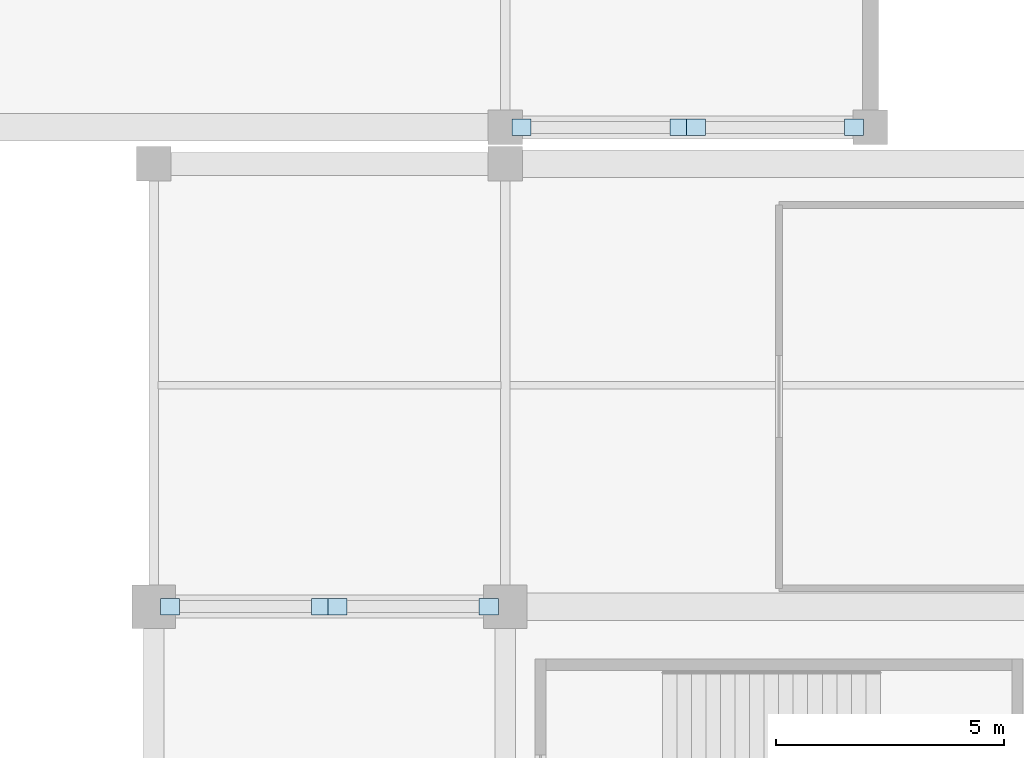
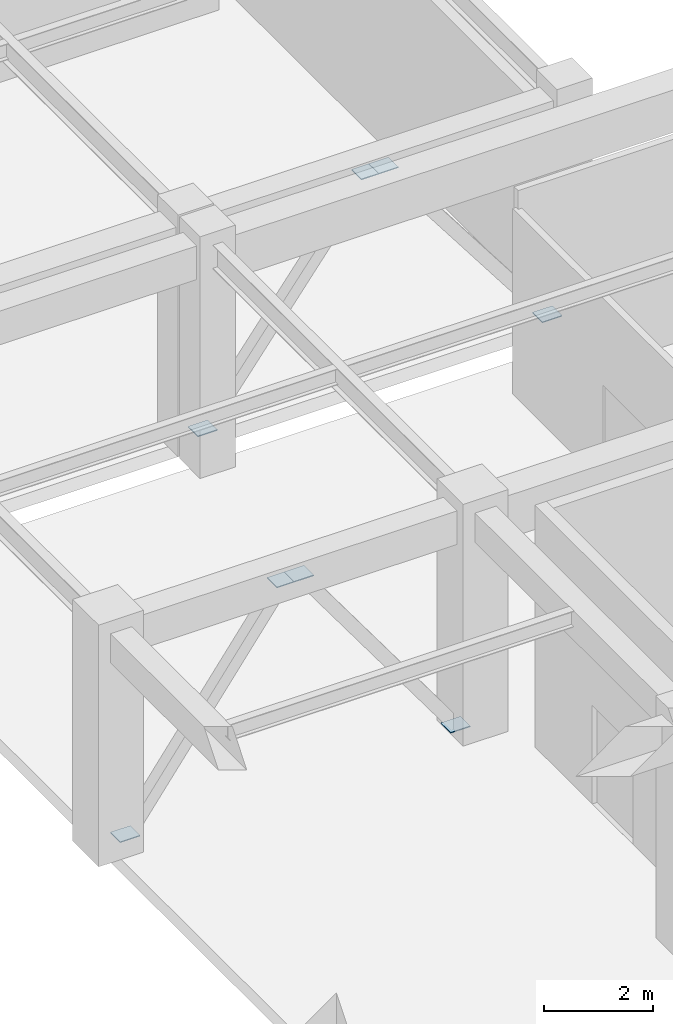
# One storey, part 72 of 120: 8 plates.
"""IFC4 building model written with IfcOpenShell, lengths in metres."""

from ifc_helpers import new_model, si_unit, direction, frame, origin, origin_2d, place, context, subcontext, project, spatial, rectangle, extrude, material, layer, layer_set, type_object, element, save


model = new_model("IFC4")

# Units and contexts
model_context = context("Model", 3, precision=1e-05, world=origin(), true_north=direction((0.0, 1.0)))
body_context = subcontext(model_context, "Body", "Model", "MODEL_VIEW")
ifc_project = project(units=[si_unit("LENGTHUNIT", "METRE"), si_unit("AREAUNIT", "SQUARE_METRE"), si_unit("VOLUMEUNIT", "CUBIC_METRE"), si_unit("PLANEANGLEUNIT", "RADIAN"), si_unit("MASSUNIT", "GRAM", prefix="KILO")], contexts=[model_context])

# Site, building, storey
site_placement = place(None, origin())
site = spatial("IfcSite", under=ifc_project, at=site_placement, CompositionType="ELEMENT")
building_placement = place(site_placement, origin())
building = spatial("IfcBuilding", under=site, at=building_placement, Name="Cuetzalor Civic Arena", CompositionType="ELEMENT")
storey_placement = place(building_placement, frame((0.0, 0.0, 6.0)))
storey = spatial("IfcBuildingStorey", under=building, at=storey_placement, Name="L01", CompositionType="ELEMENT", Elevation=6.0)

# Plates
ifc_material = material(Name="Steel S355", Category="steel")
ifc_layer = layer(ifc_material, 0.02001953125)
ifc_layer_set = layer_set([ifc_layer], Name="Steel S355")
plate_type = type_object("IfcPlateType", Name="TubeEndCapPlate_CP01", PredefinedType="SHEET", material=ifc_layer_set)
for number, where, z_axis, x_axis, name in (
    (1, (64.360107421875, 35.5, 0.139892578125), (0.0, 0.0, 1.0), (1.0, 0.0, 0.0), "Brace End Cap Plate 009-1"),
    (2, (67.820068359375, 35.5, 4.669921875), (0.0, 0.0, 1.0), (1.0, 0.0, 0.0), "Brace End Cap Plate 009-2"),
    (3, (71.639892578125, 35.5, 0.139892578125), (0.0, 0.0, 1.0), (1.0, 0.0, 0.0), "Brace End Cap Plate 010-1"),
    (4, (68.179931640625, 35.5, 4.669921875), (0.0, 0.0, 1.0), (1.0, 0.0, 0.0), "Brace End Cap Plate 010-2"),
    (5, (56.659912109375, 25.0, 0.139892578125), (0.0, 0.0, 1.0), (1.0, 0.0, 0.0), "Brace End Cap Plate 025-1"),
    (6, (59.969970703125, 25.0, 4.669921875), (0.0, 0.0, 1.0), (1.0, 0.0, 0.0), "Brace End Cap Plate 025-2"),
    (7, (63.639892578125, 25.0, 0.139892578125), (0.0, 0.0, 1.0), (1.0, 0.0, 0.0), "Brace End Cap Plate 026-1"),
    (8, (60.330078125, 25.0, 4.669921875), (0.0, 0.0, 1.0), (1.0, 0.0, 0.0), "Brace End Cap Plate 026-2"),
):
    element("IfcPlate", number, at=place(storey_placement, frame(where, z_axis=z_axis, x_axis=x_axis)), inside=storey, type_object=plate_type, Name=name, PredefinedType="SHEET", context=body_context, shape_type="SweptSolid", body=[
        extrude(rectangle(XDim=0.419921875, YDim=0.360107421875, at=origin_2d()), origin(), (0.0, 0.0, 1.0), 0.02001953125),
    ])

save(model, "model.ifc")
